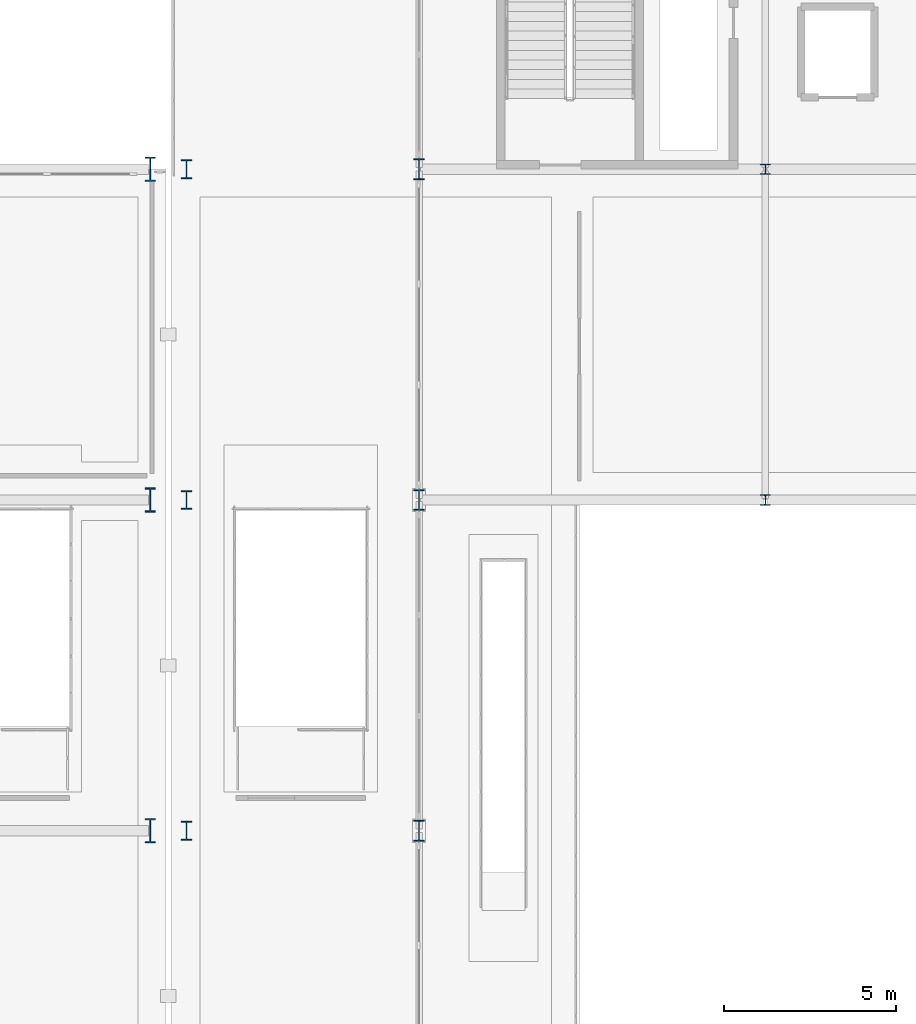
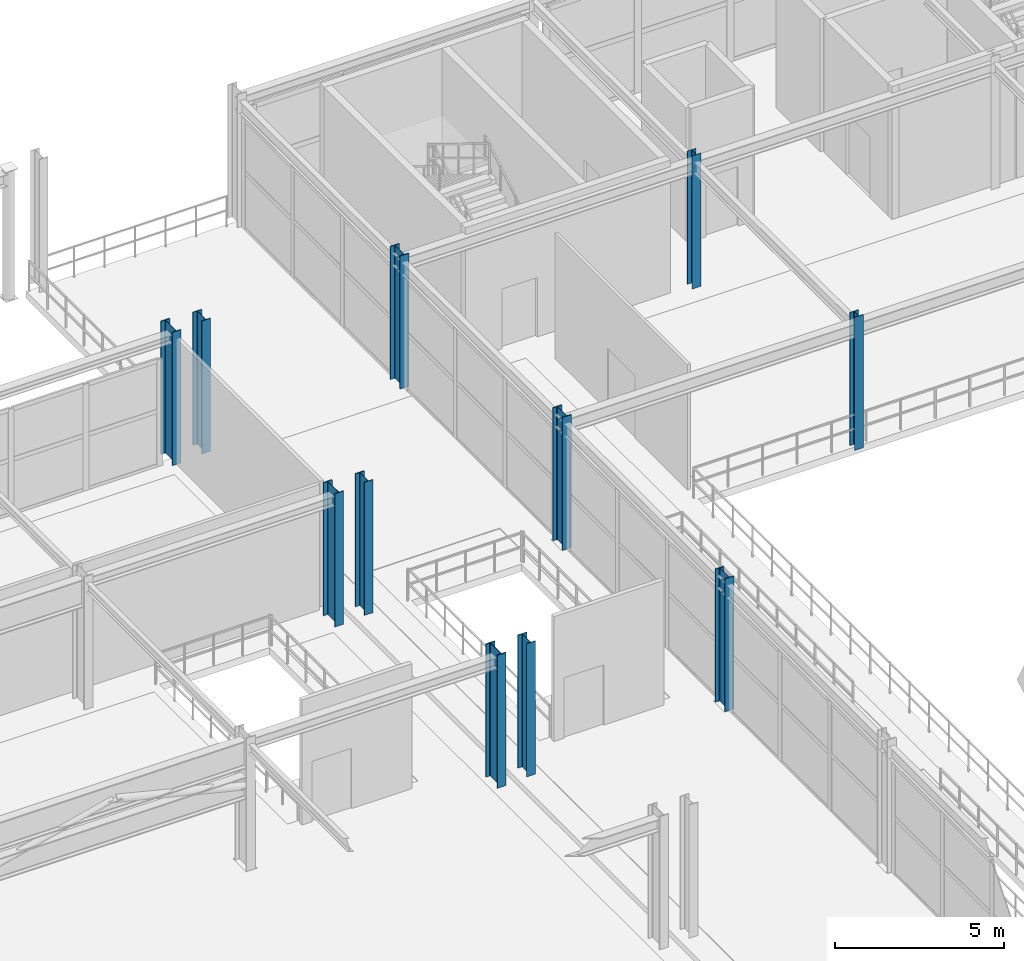
# One storey, part 13 of 125: 11 columns.
"""IFC4 building model written with IfcOpenShell, lengths in metres."""

from ifc_helpers import new_model, si_unit, direction, frame, origin, origin_2d, place, context, subcontext, project, spatial, i_section, extrude, material, material_profile, profile_set, type_object, element, save


model = new_model("IFC4")

# Units and contexts
model_context = context("Model", 3, precision=1e-05, world=origin(), true_north=direction((0.0, 1.0)))
body_context = subcontext(model_context, "Body", "Model", "MODEL_VIEW")
ifc_project = project(units=[si_unit("LENGTHUNIT", "METRE"), si_unit("AREAUNIT", "SQUARE_METRE"), si_unit("VOLUMEUNIT", "CUBIC_METRE"), si_unit("PLANEANGLEUNIT", "RADIAN"), si_unit("MASSUNIT", "GRAM", prefix="KILO")], contexts=[model_context])

# Site, building, storey
site_placement = place(None, origin())
site = spatial("IfcSite", under=ifc_project, at=site_placement, CompositionType="ELEMENT")
building_placement = place(site_placement, origin())
building = spatial("IfcBuilding", under=site, at=building_placement, Name="Myrtia Square Station", CompositionType="ELEMENT")
storey_placement = place(building_placement, frame((0.0, 0.0, 6.0)))
storey = spatial("IfcBuildingStorey", under=building, at=storey_placement, Name="L01", CompositionType="ELEMENT", Elevation=6.0)

# Columns
ifc_material = material(Name="Steel S355", Category="steel")
ifc_material_profile_1 = material_profile(ifc_material, i_section(OverallWidth=0.300048828125, OverallDepth=0.5400390625, WebThickness=0.012451171875, FlangeThickness=0.02392578125, FilletRadius=0.027099609375, at=origin_2d()), Name="HEA 550")
ifc_profile_set_1 = profile_set([ifc_material_profile_1], Name="Steel S355")
column_type_1 = type_object("IfcColumnType", Name="COL-HEA550", PredefinedType="COLUMN", material=ifc_profile_set_1)
for number, where, z_axis, x_axis, name in (
    (1, (72.60009765625, 67.199951171875, 0.0), (0.0, 0.0, 1.0), (1.0, 0.0, 0.0), "Column L01-0331"),
    (2, (72.60009765625, 76.800048828125, 0.0), (0.0, 0.0, 1.0), (1.0, 0.0, 0.0), "Column L01-0353"),
    (3, (72.60009765625, 86.39990234375, 0.0), (0.0, 0.0, 1.0), (1.0, 0.0, 0.0), "Column L01-0375"),
):
    element("IfcColumn", number, at=place(storey_placement, frame(where, z_axis=z_axis, x_axis=x_axis)), inside=storey, type_object=column_type_1, Name=name, PredefinedType="COLUMN", context=body_context, shape_type="SweptSolid", body=[
        extrude(i_section(OverallWidth=0.300048828125, OverallDepth=0.5400390625, WebThickness=0.012451171875, FlangeThickness=0.02392578125, FilletRadius=0.027099609375, at=origin_2d()), origin(), (0.0, 0.0, 1.0), 4.800048828125),
    ])
ifc_material_profile_2 = material_profile(ifc_material, i_section(OverallWidth=0.300048828125, OverallDepth=0.300048828125, WebThickness=0.010986328125, FlangeThickness=0.01904296875, FilletRadius=0.027099609375, at=origin_2d()), Name="HEB 300")
ifc_profile_set_2 = profile_set([ifc_material_profile_2], Name="Steel S355")
column_type_2 = type_object("IfcColumnType", Name="COL-HEB300", PredefinedType="COLUMN", material=ifc_profile_set_2)
for number, where, z_axis, x_axis, name in (
    (4, (89.39990234375, 76.800048828125, 0.0), (0.0, 0.0, 1.0), (1.0, 0.0, 0.0), "Column L01-0436"),
    (5, (89.39990234375, 86.39990234375, 0.0), (0.0, 0.0, 1.0), (1.0, 0.0, 0.0), "Column L01-0441"),
):
    element("IfcColumn", number, at=place(storey_placement, frame(where, z_axis=z_axis, x_axis=x_axis)), inside=storey, type_object=column_type_2, Name=name, PredefinedType="COLUMN", context=body_context, shape_type="SweptSolid", body=[
        extrude(i_section(OverallWidth=0.300048828125, OverallDepth=0.300048828125, WebThickness=0.010986328125, FlangeThickness=0.01904296875, FilletRadius=0.027099609375, at=origin_2d()), origin(), (0.0, 0.0, 1.0), 4.800048828125),
    ])
ifc_material_profile_3 = material_profile(ifc_material, i_section(OverallWidth=0.300048828125, OverallDepth=0.60009765625, WebThickness=0.015380859375, FlangeThickness=0.030029296875, FilletRadius=0.027099609375, at=origin_2d()), Name="HEB 600")
ifc_profile_set_3 = profile_set([ifc_material_profile_3], Name="Steel S355")
column_type_3 = type_object("IfcColumnType", Name="COL-HEB600", PredefinedType="COLUMN", material=ifc_profile_set_3)
for number, where, z_axis, x_axis, name in (
    (6, (79.35009765625, 67.199951171875, 0.0), (0.0, 0.0, 1.0), (1.0, 0.0, 0.0), "Column L01-0341"),
    (7, (79.35009765625, 76.800048828125, 0.0), (0.0, 0.0, 1.0), (1.0, 0.0, 0.0), "Column L01-0363"),
    (8, (79.35009765625, 86.39990234375, 0.0), (0.0, 0.0, 1.0), (1.0, 0.0, 0.0), "Column L01-0385"),
):
    element("IfcColumn", number, at=place(storey_placement, frame(where, z_axis=z_axis, x_axis=x_axis)), inside=storey, type_object=column_type_3, Name=name, PredefinedType="COLUMN", context=body_context, shape_type="SweptSolid", body=[
        extrude(i_section(OverallWidth=0.300048828125, OverallDepth=0.60009765625, WebThickness=0.015380859375, FlangeThickness=0.030029296875, FilletRadius=0.027099609375, at=origin_2d()), origin(), (0.0, 0.0, 1.0), 4.800048828125),
    ])
ifc_material_profile_4 = material_profile(ifc_material, i_section(OverallWidth=0.300048828125, OverallDepth=0.699951171875, WebThickness=0.01708984375, FlangeThickness=0.031982421875, FilletRadius=0.027099609375, at=origin_2d()), Name="HEB 700")
ifc_profile_set_4 = profile_set([ifc_material_profile_4], Name="Steel S355")
column_type_4 = type_object("IfcColumnType", Name="COL-HEB700", PredefinedType="COLUMN", material=ifc_profile_set_4)
for number, where, z_axis, x_axis, name in (
    (9, (71.550048828125, 67.199951171875, 0.0), (0.0, 0.0, 1.0), (1.0, 0.0, 0.0), "Column L01-0222"),
    (10, (71.550048828125, 76.800048828125, 0.0), (0.0, 0.0, 1.0), (1.0, 0.0, 0.0), "Column L01-0225"),
    (11, (71.550048828125, 86.39990234375, 0.0), (0.0, 0.0, 1.0), (1.0, 0.0, 0.0), "Column L01-0228"),
):
    element("IfcColumn", number, at=place(storey_placement, frame(where, z_axis=z_axis, x_axis=x_axis)), inside=storey, type_object=column_type_4, Name=name, PredefinedType="COLUMN", context=body_context, shape_type="SweptSolid", body=[
        extrude(i_section(OverallWidth=0.300048828125, OverallDepth=0.699951171875, WebThickness=0.01708984375, FlangeThickness=0.031982421875, FilletRadius=0.027099609375, at=origin_2d()), origin(), (0.0, 0.0, 1.0), 4.800048828125),
    ])

save(model, "model.ifc")
